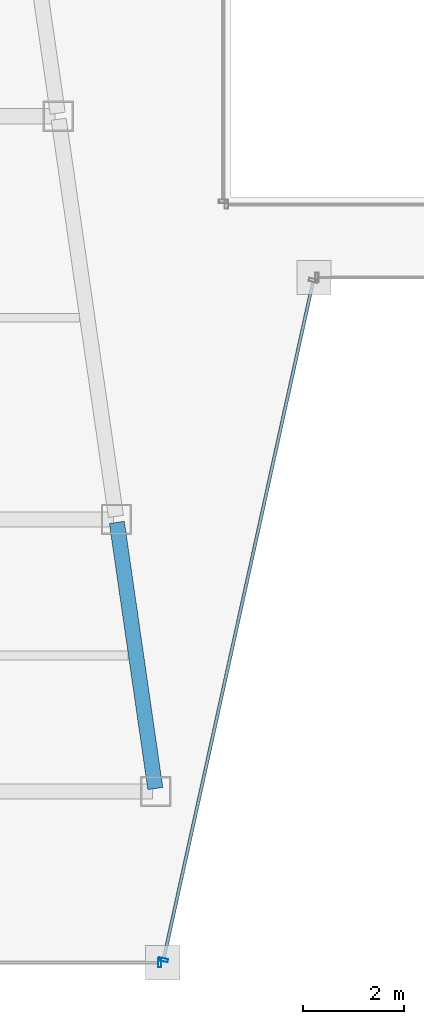
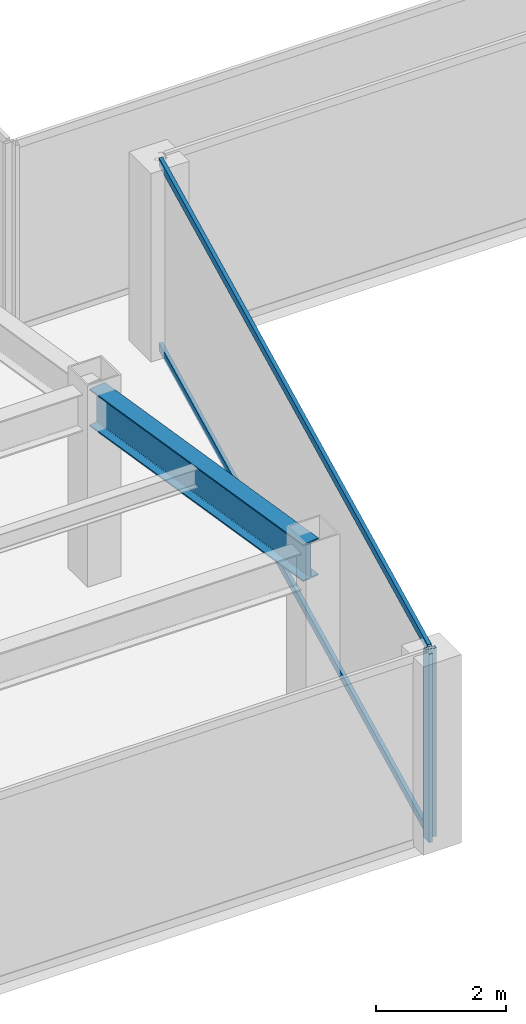
# One storey, part 5 of 36: 4 members, 1 beam, 2 elements without a shape of their own.
"""IFC4 building model written with IfcOpenShell, lengths in metres."""

from ifc_helpers import new_model, si_unit, direction, frame, origin, origin_2d, place, context, subcontext, project, spatial, hollow_rectangle, i_section, extrude, material, material_profile, profile_set, type_object, element, aggregate, save


model = new_model("IFC4")

# Units and contexts
model_context = context("Model", 3, precision=1e-05, world=origin(), true_north=direction((0.0, 1.0)))
body_context = subcontext(model_context, "Body", "Model", "MODEL_VIEW")
ifc_project = project(units=[si_unit("LENGTHUNIT", "METRE"), si_unit("AREAUNIT", "SQUARE_METRE"), si_unit("VOLUMEUNIT", "CUBIC_METRE"), si_unit("PLANEANGLEUNIT", "RADIAN"), si_unit("MASSUNIT", "GRAM", prefix="KILO")], contexts=[model_context])

# Site, building, storey
site_placement = place(None, origin())
site = spatial("IfcSite", under=ifc_project, at=site_placement, CompositionType="ELEMENT")
building_placement = place(site_placement, origin())
building = spatial("IfcBuilding", under=site, at=building_placement, Name="Saevonmaru Cultural Tower", CompositionType="ELEMENT")
storey_placement = place(building_placement, frame((0.0, 0.0, 152.39990234375)))
storey = spatial("IfcBuildingStorey", under=building, at=storey_placement, Name="L33", CompositionType="ELEMENT", Elevation=152.39990234375)

# Beam
ifc_material_1 = material(Name="Steel SM355", Category="steel")
ifc_material_profile_1 = material_profile(ifc_material_1, i_section(OverallWidth=0.300048828125, OverallDepth=0.699951171875, WebThickness=0.012939453125, FlangeThickness=0.02392578125, FilletRadius=0.02587890625, at=origin_2d()), Name="H-700x300x13x24")
ifc_profile_set_1 = profile_set([ifc_material_profile_1], Name="Steel SM355")
beam_type = type_object("IfcBeamType", Name="BM-G-H700", PredefinedType="BEAM", material=ifc_profile_set_1)
beam_placement = place(storey_placement, frame((22.699462890625, 10.659423828125, 3.2001953125), z_axis=(-0.142977693794, 0.989725911087, 0.0), x_axis=(-0.989725911087, -0.142977693794, 0.0)))
element("IfcBeam", 1, at=beam_placement, inside=storey, type_object=beam_type, Name="L33 West Atrium Girder 1", PredefinedType="BEAM", context=body_context, shape_type="SweptSolid", body=[
    extrude(i_section(OverallWidth=0.300048828125, OverallDepth=0.699951171875, WebThickness=0.012939453125, FlangeThickness=0.02392578125, FilletRadius=0.02587890625, at=origin_2d()), origin(), (0.0, 0.0, 1.0), 5.336181640625),
])

# Curtain wall, member
ifc_material_2 = material(Name="Satin Bronze Anodised Aluminium", Category="aluminium")
curtain_wall_type = type_object("IfcCurtainWallType", Name="CW-TYP-A", PredefinedType="NOTDEFINED", material=ifc_material_2)
curtain_wall_1_placement = place(storey_placement, origin())
curtain_wall_1 = element("IfcCurtainWall", 2, at=curtain_wall_1_placement, inside=storey, type_object=curtain_wall_type, Name="L33 Unitised Curtain Wall E2", PredefinedType="NOTDEFINED")
ifc_material_profile_2 = material_profile(ifc_material_2, hollow_rectangle(XDim=0.06494140625, YDim=0.179931640625, WallThickness=0.00390625, at=origin_2d()), Name="ALU-MULL-180x65x4")
ifc_profile_set_2 = profile_set([ifc_material_profile_2], Name="Satin Bronze Anodised Aluminium")
member_type_1 = type_object("IfcMemberType", Name="ML-CW-180x65", PredefinedType="MULLION", material=ifc_profile_set_2)
member_1_placement = place(storey_placement, frame((22.788818359375, 7.199951171875, 0.0), z_axis=(0.0, 0.0, 1.0), x_axis=(1.0, 0.0, 0.0)))
member_1 = element("IfcMember", 3, at=member_1_placement, type_object=member_type_1, Name="CW-TW-L33-E2 mullion 2", PredefinedType="MULLION", context=body_context, shape_type="SweptSolid", body=[
    extrude(hollow_rectangle(XDim=0.06494140625, YDim=0.179931640625, WallThickness=0.00390625, at=origin_2d()), origin(), (0.0, 0.0, 1.0), 3.550048828125),
])
aggregate(curtain_wall_1, [member_1])

# Curtain wall, members
curtain_wall_2_placement = place(storey_placement, origin())
curtain_wall_2 = element("IfcCurtainWall", 4, at=curtain_wall_2_placement, inside=storey, type_object=curtain_wall_type, Name="L33 Unitised Curtain Wall E3", PredefinedType="NOTDEFINED")
member_2_placement = place(storey_placement, frame((22.86181640625, 7.258544921875, 0.0), z_axis=(0.0, 0.0, 1.0), x_axis=(0.215413319953, 0.976522965212, 0.0)))
member_2 = element("IfcMember", 5, at=member_2_placement, type_object=member_type_1, Name="CW-TW-L33-E3 mullion 1", PredefinedType="MULLION", context=body_context, shape_type="SweptSolid", body=[
    extrude(hollow_rectangle(XDim=0.06494140625, YDim=0.179931640625, WallThickness=0.00390625, at=origin_2d()), origin(), (0.0, 0.0, 1.0), 3.550048828125),
])
ifc_material_profile_3 = material_profile(ifc_material_2, hollow_rectangle(XDim=0.06494140625, YDim=0.14990234375, WallThickness=0.00390625, at=origin_2d()), Name="ALU-TRAN-150x65x4")
ifc_profile_set_3 = profile_set([ifc_material_profile_3], Name="Satin Bronze Anodised Aluminium")
member_type_2 = type_object("IfcMemberType", Name="TR-CW-150x65", PredefinedType="USERDEFINED", material=ifc_profile_set_3)
member_3_placement = place(storey_placement, frame((22.868896484375, 7.290283203125, 0.03271484375), z_axis=(0.21541214732, 0.976523223885, 0.0), x_axis=(-0.976523223885, 0.21541214732, 0.0)))
member_3 = element("IfcMember", 6, at=member_3_placement, type_object=member_type_2, Name="CW-TW-L33-E3 transom 1.1", ObjectType="TRANSOM", PredefinedType="USERDEFINED", context=body_context, shape_type="SweptSolid", body=[
    extrude(hollow_rectangle(XDim=0.06494140625, YDim=0.14990234375, WallThickness=0.00390625, at=origin_2d()), origin(), (0.0, 0.0, 1.0), 13.741943359375),
])
member_4_placement = place(storey_placement, frame((22.868896484375, 7.290283203125, 3.517578125), z_axis=(0.21541214732, 0.976523223885, 0.0), x_axis=(-0.976523223885, 0.21541214732, 0.0)))
member_4 = element("IfcMember", 7, at=member_4_placement, type_object=member_type_2, Name="CW-TW-L33-E3 transom 1.2", ObjectType="TRANSOM", PredefinedType="USERDEFINED", context=body_context, shape_type="SweptSolid", body=[
    extrude(hollow_rectangle(XDim=0.06494140625, YDim=0.14990234375, WallThickness=0.00390625, at=origin_2d()), origin(), (0.0, 0.0, 1.0), 13.741943359375),
])
aggregate(curtain_wall_2, [member_2, member_3, member_4])

save(model, "model.ifc")
